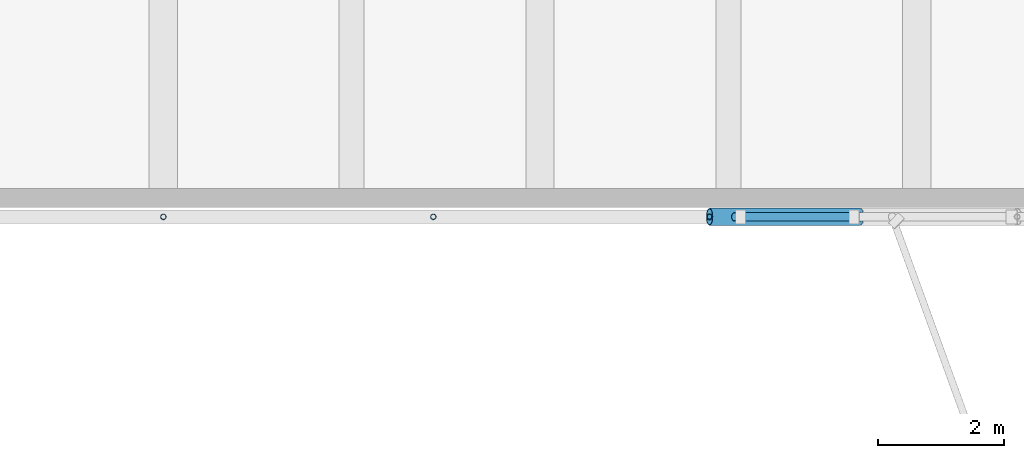
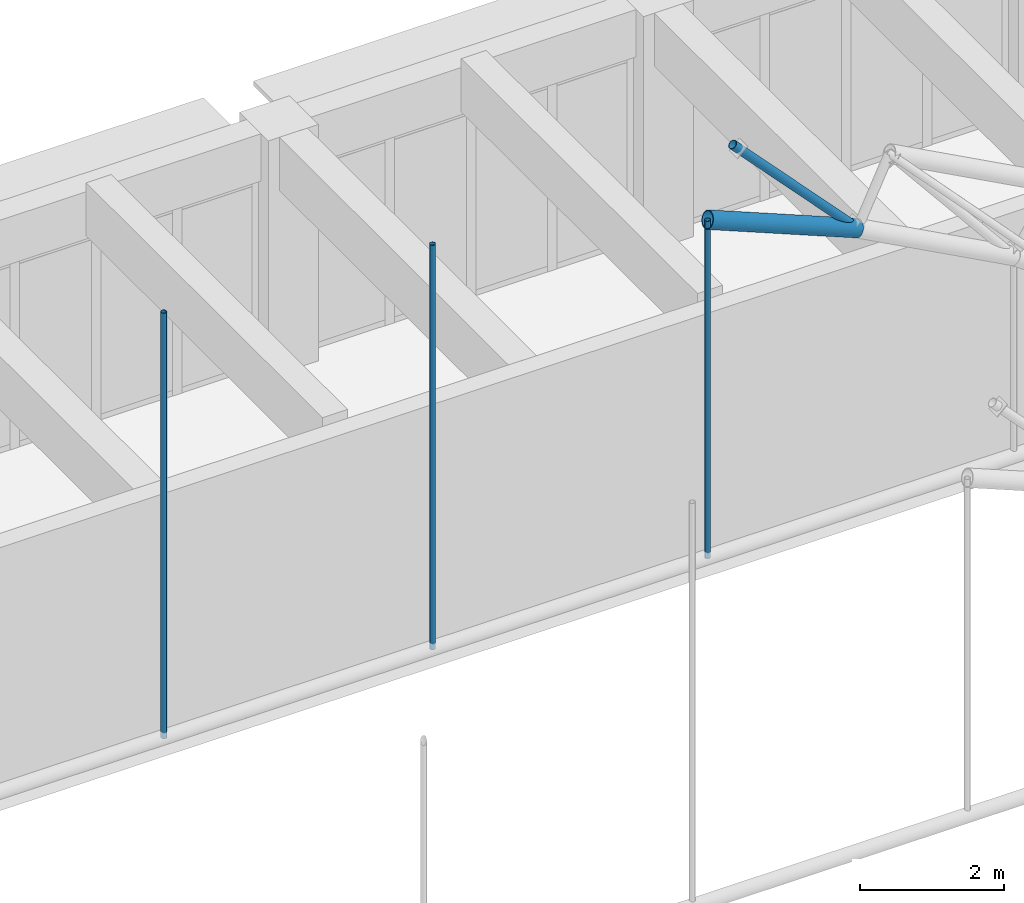
# One storey, part 25 of 101: 5 members.
"""IFC4 building model written with IfcOpenShell, lengths in metres."""

import ifcopenshell
import ifcopenshell.guid

model = None  # the IFC model being written
_history = None  # IfcOwnerHistory: only IFC2X3 demands one
_inside = {}  # id of a spatial element -> (the spatial element, [elements in it])
_under = {}  # id of a project, library or spatial element -> (it, [spatial elements below it])
_declared = {}  # id of a project -> (the project, [libraries it declares])
_typed = {}  # id of a type object -> (the type object, [elements of that type])
_made_of = {}  # id of a material, layer set ... -> (it, [elements and type objects made of it])


def new_model(schema):
    """Start an empty IFC model of exactly this schema.

    Asked for "IFC4X3", IfcOpenShell would pick the latest addendum, in which some entities
    have other attributes; the version numbers below select the first issue.
    IFC2X3 requires an IfcOwnerHistory on every rooted entity: one is made here for all.
    """
    global model, _history
    if schema == "IFC4X3":
        model = ifcopenshell.file(schema_version=(4, 3, 0, 0))
    else:
        model = ifcopenshell.file(schema=schema)
    _inside.clear()
    _under.clear()
    _declared.clear()
    _typed.clear()
    _made_of.clear()
    _history = None
    if model.schema == "IFC2X3":
        org = make("IfcOrganization", Name="unknown")
        user = make(
            "IfcPersonAndOrganization",
            ThePerson=make("IfcPerson", FamilyName="unknown"),
            TheOrganization=org,
        )
        app = make(
            "IfcApplication",
            ApplicationDeveloper=org,
            Version="unknown",
            ApplicationFullName="unknown",
            ApplicationIdentifier="unknown",
        )
        _history = make(
            "IfcOwnerHistory",
            OwningUser=user,
            OwningApplication=app,
            ChangeAction="ADDED",
            CreationDate=0,
        )
    return model


def make(cls, **values):
    """One entity of the class cls with the attributes given. An attribute that is None is left unset."""
    return model.create_entity(
        cls, **{name: value for name, value in values.items() if value is not None}
    )


def rooted(cls, **values):
    """An entity with a GlobalId (a new one), such as an element, a storey or a relation."""
    return make(cls, GlobalId=ifcopenshell.guid.new(), OwnerHistory=_history, **values)


def si_unit(unit_type, name, prefix=None):
    """IfcSIUnit, for example si_unit("LENGTHUNIT", "METRE", prefix="MILLI")."""
    return make("IfcSIUnit", UnitType=unit_type, Prefix=prefix, Name=name)


def assignment(units):
    """IfcUnitAssignment: the units of a project."""
    return None if units is None else make("IfcUnitAssignment", Units=units)


def point(xyz):
    """IfcCartesianPoint."""
    return None if xyz is None else make("IfcCartesianPoint", Coordinates=xyz)


def direction(xyz):
    """IfcDirection."""
    return None if xyz is None else make("IfcDirection", DirectionRatios=xyz)


def frame(location, z_axis=None, x_axis=None):
    """IfcAxis2Placement3D, a coordinate frame: its origin and axes. An axis left out is left unset."""
    return make(
        "IfcAxis2Placement3D",
        Location=point(location),
        Axis=direction(z_axis),
        RefDirection=direction(x_axis),
    )


def frame_2d(location, x_axis=None):
    """IfcAxis2Placement2D, a coordinate frame in the plane: its origin and x axis."""
    return make(
        "IfcAxis2Placement2D", Location=point(location), RefDirection=direction(x_axis)
    )


def origin():
    """The frame at (0, 0, 0) with its axes left unset."""
    return frame((0.0, 0.0, 0.0))


def origin_2d():
    """The frame at (0, 0) in the plane with its x axis left unset."""
    return frame_2d((0.0, 0.0))


def place(relative_to, where):
    """IfcLocalPlacement: puts the frame where relative to a parent placement (None: the world)."""
    return make(
        "IfcLocalPlacement", PlacementRelTo=relative_to, RelativePlacement=where
    )


def context(
    kind, dimensions, precision=None, world=None, true_north=None, identifier=None
):
    """IfcGeometricRepresentationContext, for example the 3D "Model" context."""
    return make(
        "IfcGeometricRepresentationContext",
        ContextIdentifier=identifier,
        ContextType=kind,
        CoordinateSpaceDimension=dimensions,
        Precision=precision,
        WorldCoordinateSystem=world,
        TrueNorth=true_north,
    )


def subcontext(parent, identifier, kind, view, scale=None):
    """IfcGeometricRepresentationSubContext, for example "Body" below "Model"."""
    return make(
        "IfcGeometricRepresentationSubContext",
        ContextIdentifier=identifier,
        ContextType=kind,
        ParentContext=parent,
        TargetScale=scale,
        TargetView=view,
    )


def project(units=None, contexts=None):
    """IfcProject with its units and contexts."""
    return rooted(
        "IfcProject",
        Name="project",
        RepresentationContexts=contexts,
        UnitsInContext=assignment(units),
    )


def spatial(cls, under=None, at=None, **own):
    """A site, building, storey or space (cls), placed at a placement, below another one or the project."""
    s = rooted(cls, ObjectPlacement=at, **own)
    if under is not None:
        _under.setdefault(under.id(), (under, []))[1].append(s)
    return s


def profile(cls, at=None, kind="AREA", **sizes):
    """A parametric profile (cls). Its sizes go by their IFC names, for example OverallWidth=200.0."""
    return make(cls, ProfileType=kind, Position=at, **sizes)


def hollow_circle(**sizes):
    """IfcCircleHollowProfileDef."""
    return profile("IfcCircleHollowProfileDef", **sizes)


def extrude(swept, where, along, depth):
    """IfcExtrudedAreaSolid: the profile swept, set in the frame where, extruded along a direction by depth."""
    return make(
        "IfcExtrudedAreaSolid",
        SweptArea=swept,
        Position=where,
        ExtrudedDirection=direction(along),
        Depth=depth,
    )


def shape(context_of_items, identifier, shape_type, items):
    """IfcShapeRepresentation: the items that make up one representation, for example the "Body"."""
    return make(
        "IfcShapeRepresentation",
        ContextOfItems=context_of_items,
        RepresentationIdentifier=identifier,
        RepresentationType=shape_type,
        Items=items,
    )


def material(Name=None, Category=None):
    """IfcMaterial."""
    return make("IfcMaterial", Name=Name, Category=Category)


def material_profile(
    of_material, cross_section, Name=None, Category=None, Priority=None
):
    """IfcMaterialProfile: a cross section and its material."""
    return make(
        "IfcMaterialProfile",
        Name=Name,
        Material=of_material,
        Profile=cross_section,
        Priority=Priority,
        Category=Category,
    )


def profile_set(profiles, Name=None, composite=None):
    """IfcMaterialProfileSet."""
    return make(
        "IfcMaterialProfileSet",
        Name=Name,
        MaterialProfiles=profiles,
        CompositeProfile=composite,
    )


def made_of(thing, what):
    """Note that an element or type object is made of a material, layer set ...; save() writes the relation."""
    if what is not None:
        _made_of.setdefault(what.id(), (what, []))[1].append(thing)
    return thing


def type_object(cls, material=None, **own):
    """A type object (cls), such as IfcWallType, which elements share."""
    return made_of(rooted(cls, **own), material)


def element(
    cls,
    number,
    at=None,
    inside=None,
    cuts=None,
    type_object=None,
    material=None,
    context=None,
    identifier="Body",
    shape_type=None,
    held_by="IfcProductDefinitionShape",
    body=None,
    shapes=None,
    **own,
):
    """One element of the class cls, such as IfcWall. Its Tag is "e" and its number.

    at: its placement. inside: the storey or other place that contains it. cuts: it is an
    opening in that element (IfcRelVoidsElement). A single representation is given by context,
    identifier, shape_type and body (its items); several are given by shapes. held_by: the class
    of the entity that holds the representations. save() writes the other relations.
    """
    e = rooted(cls, Tag="e%d" % number, ObjectPlacement=at, **own)
    if body is not None:
        shapes = [shape(context, identifier, shape_type, body)]
    if shapes is not None:
        e.Representation = make(held_by, Representations=shapes)
    if inside is not None:
        _inside.setdefault(inside.id(), (inside, []))[1].append(e)
    if cuts is not None:
        rooted(
            "IfcRelVoidsElement", RelatingBuildingElement=cuts, RelatedOpeningElement=e
        )
    if type_object is not None:
        _typed.setdefault(type_object.id(), (type_object, []))[1].append(e)
    return made_of(e, material)


def aggregate(whole, parts):
    """IfcRelAggregates: a whole, such as a stair, and the parts it consists of."""
    return rooted("IfcRelAggregates", RelatingObject=whole, RelatedObjects=parts)


def save(model, path):
    """Write the relations noted so far, then the file.

    IfcRelAggregates (storeys below a building ...), IfcRelContainedInSpatialStructure (elements
    in a storey), IfcRelDefinesByType, IfcRelAssociatesMaterial and IfcRelDeclares: one each for
    every whole, place, type object, material and project.
    """
    for whole, parts in _under.values():
        aggregate(whole, parts)
    for where, things in _inside.values():
        rooted(
            "IfcRelContainedInSpatialStructure",
            RelatedElements=things,
            RelatingStructure=where,
        )
    for kind, things in _typed.values():
        rooted("IfcRelDefinesByType", RelatedObjects=things, RelatingType=kind)
    for what, things in _made_of.values():
        rooted("IfcRelAssociatesMaterial", RelatedObjects=things, RelatingMaterial=what)
    for by, libraries in _declared.values():
        rooted("IfcRelDeclares", RelatingContext=by, RelatedDefinitions=libraries)
    model.write(path)


model = new_model("IFC4")

# Units and contexts
model_context = context("Model", 3, precision=1e-05, world=origin(), true_north=direction((0.0, 1.0)))
body_context = subcontext(model_context, "Body", "Model", "MODEL_VIEW")
ifc_project = project(units=[si_unit("LENGTHUNIT", "METRE"), si_unit("AREAUNIT", "SQUARE_METRE"), si_unit("VOLUMEUNIT", "CUBIC_METRE"), si_unit("PLANEANGLEUNIT", "RADIAN"), si_unit("MASSUNIT", "GRAM", prefix="KILO")], contexts=[model_context])

# Site, building, storey
site_placement = place(None, origin())
site = spatial("IfcSite", under=ifc_project, at=site_placement, CompositionType="ELEMENT")
building_placement = place(site_placement, origin())
building = spatial("IfcBuilding", under=site, at=building_placement, Name="Laocheng Heights Fire and Rescue Headquarters", CompositionType="ELEMENT")
storey_placement = place(building_placement, frame((0.0, 0.0, 8.39990234375)))
storey = spatial("IfcBuildingStorey", under=building, at=storey_placement, Name="L02", CompositionType="ELEMENT", Elevation=8.39990234375)

# Members
ifc_material_1 = material(Name="Steel Q355B", Category="steel")
ifc_material_profile_1 = material_profile(ifc_material_1, hollow_circle(Radius=0.136474609375, WallThickness=0.011962890625, at=origin_2d()), Name="CHS 273x12")
ifc_profile_set_1 = profile_set([ifc_material_profile_1], Name="Steel Q355B")
member_type_1 = type_object("IfcMemberType", Name="BAY ROOF CHORD CHS 273x12", PredefinedType="CHORD", material=ifc_profile_set_1)
member_1_placement = place(storey_placement, frame((44.699951171875, 21.60009765625, 5.70703125), z_axis=(0.925143196913, 0.0, -0.379618315161), x_axis=(0.0, 1.0, 0.0)))
element("IfcMember", 1, at=member_1_placement, inside=storey, type_object=member_type_1, Name="Truss TR4 lower chord 13", PredefinedType="CHORD", context=body_context, shape_type="SweptSolid", body=[
    extrude(hollow_circle(Radius=0.136474609375, WallThickness=0.011962890625, at=origin_2d()), origin(), (0.0, 0.0, 1.0), 2.59423828125),
])
ifc_material_2 = material(Name="Steel Q355B", Category="steel")
ifc_material_profile_2 = material_profile(ifc_material_2, hollow_circle(Radius=0.06982421875, WallThickness=0.006103515625, at=origin_2d()), Name="CHS 139.7x6")
ifc_profile_set_2 = profile_set([ifc_material_profile_2], Name="Steel Q355B")
member_type_2 = type_object("IfcMemberType", Name="BAY ROOF DIAG CHS 139.7x6", PredefinedType="BRACE", material=ifc_profile_set_2)
member_2_placement = place(storey_placement, frame((47.10009765625, 21.60009765625, 4.72216796875), z_axis=(-0.686744141794, 0.0, 0.72689922528), x_axis=(0.0, -1.0, 0.0)))
element("IfcMember", 2, at=member_2_placement, inside=storey, type_object=member_type_2, Name="Truss diagonal TR4-13", PredefinedType="BRACE", context=body_context, shape_type="SweptSolid", body=[
    extrude(hollow_circle(Radius=0.06982421875, WallThickness=0.006103515625, at=origin_2d()), origin(), (0.0, 0.0, 1.0), 2.912353515625),
])
ifc_material_3 = material(Name="Steel Q355B", Category="steel")
ifc_material_profile_3 = material_profile(ifc_material_3, hollow_circle(Radius=0.04443359375, WallThickness=0.0048828125, at=origin_2d()), Name="CHS 88.9x5")
ifc_profile_set_3 = profile_set([ifc_material_profile_3], Name="Steel Q355B")
member_type_3 = type_object("IfcMemberType", Name="BAY ROOF HANGER CHS 88.9x5", PredefinedType="POST", material=ifc_profile_set_3)
member_3_placement = place(storey_placement, frame((36.0, 21.60009765625, 0.0), z_axis=(0.0, 0.0, 1.0), x_axis=(1.0, 0.0, 0.0)))
element("IfcMember", 3, at=member_3_placement, inside=storey, type_object=member_type_3, Name="Truss TR4 hanger 08", PredefinedType="POST", context=body_context, shape_type="SweptSolid", body=[
    extrude(hollow_circle(Radius=0.04443359375, WallThickness=0.0048828125, at=origin_2d()), origin(), (0.0, 0.0, 1.0), 7.2001953125),
])
member_4_placement = place(storey_placement, frame((40.300048828125, 21.60009765625, 0.0), z_axis=(0.0, 0.0, 1.0), x_axis=(1.0, 0.0, 0.0)))
element("IfcMember", 4, at=member_4_placement, inside=storey, type_object=member_type_3, Name="Truss TR4 hanger 10", PredefinedType="POST", context=body_context, shape_type="SweptSolid", body=[
    extrude(hollow_circle(Radius=0.04443359375, WallThickness=0.0048828125, at=origin_2d()), origin(), (0.0, 0.0, 1.0), 6.843017578125),
])
member_5_placement = place(storey_placement, frame((44.699951171875, 21.60009765625, 0.0), z_axis=(0.0, 0.0, 1.0), x_axis=(1.0, 0.0, 0.0)))
element("IfcMember", 5, at=member_5_placement, inside=storey, type_object=member_type_3, Name="Truss TR4 hanger 12", PredefinedType="POST", context=body_context, shape_type="SweptSolid", body=[
    extrude(hollow_circle(Radius=0.04443359375, WallThickness=0.0048828125, at=origin_2d()), origin(), (0.0, 0.0, 1.0), 5.70703125),
])

save(model, "model.ifc")
